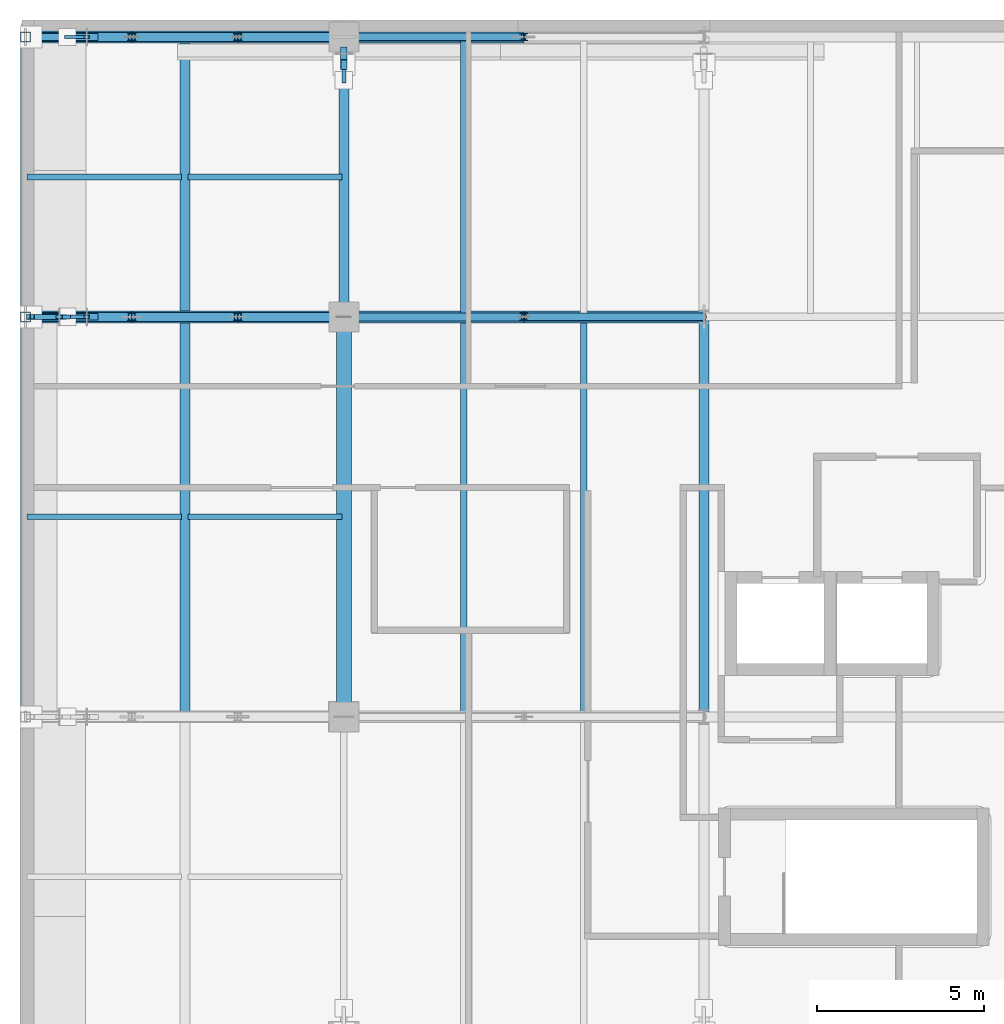
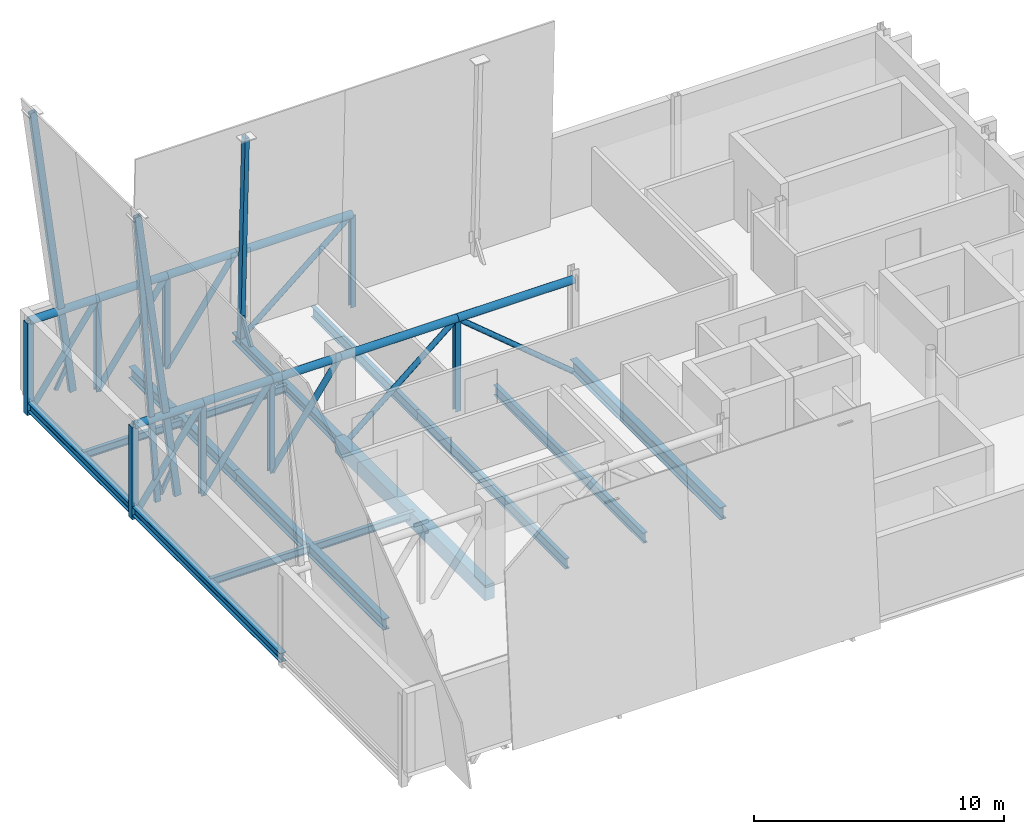
# One storey, part 3 of 10: 34 members, 14 beams.
"""IFC4 building model written with IfcOpenShell, lengths in metres."""

import ifcopenshell
import ifcopenshell.guid

model = None  # the IFC model being written
_history = None  # IfcOwnerHistory: only IFC2X3 demands one
_inside = {}  # id of a spatial element -> (the spatial element, [elements in it])
_under = {}  # id of a project, library or spatial element -> (it, [spatial elements below it])
_declared = {}  # id of a project -> (the project, [libraries it declares])
_typed = {}  # id of a type object -> (the type object, [elements of that type])
_made_of = {}  # id of a material, layer set ... -> (it, [elements and type objects made of it])


def new_model(schema):
    """Start an empty IFC model of exactly this schema.

    Asked for "IFC4X3", IfcOpenShell would pick the latest addendum, in which some entities
    have other attributes; the version numbers below select the first issue.
    IFC2X3 requires an IfcOwnerHistory on every rooted entity: one is made here for all.
    """
    global model, _history
    if schema == "IFC4X3":
        model = ifcopenshell.file(schema_version=(4, 3, 0, 0))
    else:
        model = ifcopenshell.file(schema=schema)
    _inside.clear()
    _under.clear()
    _declared.clear()
    _typed.clear()
    _made_of.clear()
    _history = None
    if model.schema == "IFC2X3":
        org = make("IfcOrganization", Name="unknown")
        user = make(
            "IfcPersonAndOrganization",
            ThePerson=make("IfcPerson", FamilyName="unknown"),
            TheOrganization=org,
        )
        app = make(
            "IfcApplication",
            ApplicationDeveloper=org,
            Version="unknown",
            ApplicationFullName="unknown",
            ApplicationIdentifier="unknown",
        )
        _history = make(
            "IfcOwnerHistory",
            OwningUser=user,
            OwningApplication=app,
            ChangeAction="ADDED",
            CreationDate=0,
        )
    return model


def make(cls, **values):
    """One entity of the class cls with the attributes given. An attribute that is None is left unset."""
    return model.create_entity(
        cls, **{name: value for name, value in values.items() if value is not None}
    )


def rooted(cls, **values):
    """An entity with a GlobalId (a new one), such as an element, a storey or a relation."""
    return make(cls, GlobalId=ifcopenshell.guid.new(), OwnerHistory=_history, **values)


def si_unit(unit_type, name, prefix=None):
    """IfcSIUnit, for example si_unit("LENGTHUNIT", "METRE", prefix="MILLI")."""
    return make("IfcSIUnit", UnitType=unit_type, Prefix=prefix, Name=name)


def assignment(units):
    """IfcUnitAssignment: the units of a project."""
    return None if units is None else make("IfcUnitAssignment", Units=units)


def point(xyz):
    """IfcCartesianPoint."""
    return None if xyz is None else make("IfcCartesianPoint", Coordinates=xyz)


def direction(xyz):
    """IfcDirection."""
    return None if xyz is None else make("IfcDirection", DirectionRatios=xyz)


def frame(location, z_axis=None, x_axis=None):
    """IfcAxis2Placement3D, a coordinate frame: its origin and axes. An axis left out is left unset."""
    return make(
        "IfcAxis2Placement3D",
        Location=point(location),
        Axis=direction(z_axis),
        RefDirection=direction(x_axis),
    )


def frame_2d(location, x_axis=None):
    """IfcAxis2Placement2D, a coordinate frame in the plane: its origin and x axis."""
    return make(
        "IfcAxis2Placement2D", Location=point(location), RefDirection=direction(x_axis)
    )


def origin():
    """The frame at (0, 0, 0) with its axes left unset."""
    return frame((0.0, 0.0, 0.0))


def origin_2d():
    """The frame at (0, 0) in the plane with its x axis left unset."""
    return frame_2d((0.0, 0.0))


def place(relative_to, where):
    """IfcLocalPlacement: puts the frame where relative to a parent placement (None: the world)."""
    return make(
        "IfcLocalPlacement", PlacementRelTo=relative_to, RelativePlacement=where
    )


def context(
    kind, dimensions, precision=None, world=None, true_north=None, identifier=None
):
    """IfcGeometricRepresentationContext, for example the 3D "Model" context."""
    return make(
        "IfcGeometricRepresentationContext",
        ContextIdentifier=identifier,
        ContextType=kind,
        CoordinateSpaceDimension=dimensions,
        Precision=precision,
        WorldCoordinateSystem=world,
        TrueNorth=true_north,
    )


def subcontext(parent, identifier, kind, view, scale=None):
    """IfcGeometricRepresentationSubContext, for example "Body" below "Model"."""
    return make(
        "IfcGeometricRepresentationSubContext",
        ContextIdentifier=identifier,
        ContextType=kind,
        ParentContext=parent,
        TargetScale=scale,
        TargetView=view,
    )


def project(units=None, contexts=None):
    """IfcProject with its units and contexts."""
    return rooted(
        "IfcProject",
        Name="project",
        RepresentationContexts=contexts,
        UnitsInContext=assignment(units),
    )


def spatial(cls, under=None, at=None, **own):
    """A site, building, storey or space (cls), placed at a placement, below another one or the project."""
    s = rooted(cls, ObjectPlacement=at, **own)
    if under is not None:
        _under.setdefault(under.id(), (under, []))[1].append(s)
    return s


def profile(cls, at=None, kind="AREA", **sizes):
    """A parametric profile (cls). Its sizes go by their IFC names, for example OverallWidth=200.0."""
    return make(cls, ProfileType=kind, Position=at, **sizes)


def rectangle(**sizes):
    """IfcRectangleProfileDef."""
    return profile("IfcRectangleProfileDef", **sizes)


def hollow_rectangle(**sizes):
    """IfcRectangleHollowProfileDef."""
    return profile("IfcRectangleHollowProfileDef", **sizes)


def hollow_circle(**sizes):
    """IfcCircleHollowProfileDef."""
    return profile("IfcCircleHollowProfileDef", **sizes)


def i_section(**sizes):
    """IfcIShapeProfileDef."""
    return profile("IfcIShapeProfileDef", **sizes)


def extrude(swept, where, along, depth):
    """IfcExtrudedAreaSolid: the profile swept, set in the frame where, extruded along a direction by depth."""
    return make(
        "IfcExtrudedAreaSolid",
        SweptArea=swept,
        Position=where,
        ExtrudedDirection=direction(along),
        Depth=depth,
    )


def shape(context_of_items, identifier, shape_type, items):
    """IfcShapeRepresentation: the items that make up one representation, for example the "Body"."""
    return make(
        "IfcShapeRepresentation",
        ContextOfItems=context_of_items,
        RepresentationIdentifier=identifier,
        RepresentationType=shape_type,
        Items=items,
    )


def material(Name=None, Category=None):
    """IfcMaterial."""
    return make("IfcMaterial", Name=Name, Category=Category)


def material_profile(
    of_material, cross_section, Name=None, Category=None, Priority=None
):
    """IfcMaterialProfile: a cross section and its material."""
    return make(
        "IfcMaterialProfile",
        Name=Name,
        Material=of_material,
        Profile=cross_section,
        Priority=Priority,
        Category=Category,
    )


def profile_set(profiles, Name=None, composite=None):
    """IfcMaterialProfileSet."""
    return make(
        "IfcMaterialProfileSet",
        Name=Name,
        MaterialProfiles=profiles,
        CompositeProfile=composite,
    )


def made_of(thing, what):
    """Note that an element or type object is made of a material, layer set ...; save() writes the relation."""
    if what is not None:
        _made_of.setdefault(what.id(), (what, []))[1].append(thing)
    return thing


def type_object(cls, material=None, **own):
    """A type object (cls), such as IfcWallType, which elements share."""
    return made_of(rooted(cls, **own), material)


def element(
    cls,
    number,
    at=None,
    inside=None,
    cuts=None,
    type_object=None,
    material=None,
    context=None,
    identifier="Body",
    shape_type=None,
    held_by="IfcProductDefinitionShape",
    body=None,
    shapes=None,
    **own,
):
    """One element of the class cls, such as IfcWall. Its Tag is "e" and its number.

    at: its placement. inside: the storey or other place that contains it. cuts: it is an
    opening in that element (IfcRelVoidsElement). A single representation is given by context,
    identifier, shape_type and body (its items); several are given by shapes. held_by: the class
    of the entity that holds the representations. save() writes the other relations.
    """
    e = rooted(cls, Tag="e%d" % number, ObjectPlacement=at, **own)
    if body is not None:
        shapes = [shape(context, identifier, shape_type, body)]
    if shapes is not None:
        e.Representation = make(held_by, Representations=shapes)
    if inside is not None:
        _inside.setdefault(inside.id(), (inside, []))[1].append(e)
    if cuts is not None:
        rooted(
            "IfcRelVoidsElement", RelatingBuildingElement=cuts, RelatedOpeningElement=e
        )
    if type_object is not None:
        _typed.setdefault(type_object.id(), (type_object, []))[1].append(e)
    return made_of(e, material)


def aggregate(whole, parts):
    """IfcRelAggregates: a whole, such as a stair, and the parts it consists of."""
    return rooted("IfcRelAggregates", RelatingObject=whole, RelatedObjects=parts)


def save(model, path):
    """Write the relations noted so far, then the file.

    IfcRelAggregates (storeys below a building ...), IfcRelContainedInSpatialStructure (elements
    in a storey), IfcRelDefinesByType, IfcRelAssociatesMaterial and IfcRelDeclares: one each for
    every whole, place, type object, material and project.
    """
    for whole, parts in _under.values():
        aggregate(whole, parts)
    for where, things in _inside.values():
        rooted(
            "IfcRelContainedInSpatialStructure",
            RelatedElements=things,
            RelatingStructure=where,
        )
    for kind, things in _typed.values():
        rooted("IfcRelDefinesByType", RelatedObjects=things, RelatingType=kind)
    for what, things in _made_of.values():
        rooted("IfcRelAssociatesMaterial", RelatedObjects=things, RelatingMaterial=what)
    for by, libraries in _declared.values():
        rooted("IfcRelDeclares", RelatingContext=by, RelatedDefinitions=libraries)
    model.write(path)


model = new_model("IFC4")

# Units and contexts
model_context = context("Model", 3, precision=1e-05, world=origin(), true_north=direction((0.0, 1.0)))
body_context = subcontext(model_context, "Body", "Model", "MODEL_VIEW")
ifc_project = project(units=[si_unit("LENGTHUNIT", "METRE"), si_unit("AREAUNIT", "SQUARE_METRE"), si_unit("VOLUMEUNIT", "CUBIC_METRE"), si_unit("PLANEANGLEUNIT", "RADIAN"), si_unit("MASSUNIT", "GRAM", prefix="KILO")], contexts=[model_context])

# Site, building, storey
site_placement = place(None, origin())
site = spatial("IfcSite", under=ifc_project, at=site_placement, CompositionType="ELEMENT")
building_placement = place(site_placement, origin())
building = spatial("IfcBuilding", under=site, at=building_placement, Name="Zereglee Splitstone Museum", CompositionType="ELEMENT")
storey_placement = place(building_placement, frame((0.0, 0.0, 25.5)))
storey = spatial("IfcBuildingStorey", under=building, at=storey_placement, Name="L05", CompositionType="ELEMENT", Elevation=25.5)

# Members
ifc_material_1 = material(Name="Steel S355J2H", Category="steel")
ifc_material_profile_1 = material_profile(ifc_material_1, hollow_circle(Radius=0.122314453125, WallThickness=0.012451171875, at=origin_2d()), Name="CHS 244.5x12.5")
ifc_profile_set_1 = profile_set([ifc_material_profile_1], Name="Steel S355J2H")
member_type_1 = type_object("IfcMemberType", Name="TB-02", PredefinedType="BRACE", material=ifc_profile_set_1)
for number, where, z_axis, x_axis, name in (
    (1, (9.60009765625, 21.60009765625, -0.89990234375), (0.768215585699, 0.0, 0.640191232281), (0.0, 1.0, 0.0), "Cantilever Truss CT-03 Web Brace L05-4"),
    (2, (20.39990234375, 21.60009765625, -0.89990234375), (-0.768215585699, 0.0, 0.640191232281), (0.0, -1.0, 0.0), "Cantilever Truss CT-03 Web Brace L05-5"),
    (3, (9.60009765625, 30.0, -0.89990234375), (0.768215585699, 0.0, 0.640191232281), (0.0, 1.0, 0.0), "Cantilever Truss CT-04 Web Brace L05-4"),
):
    element("IfcMember", number, at=place(storey_placement, frame(where, z_axis=z_axis, x_axis=x_axis)), inside=storey, type_object=member_type_1, Name=name, PredefinedType="BRACE", context=body_context, shape_type="SweptSolid", body=[
        extrude(hollow_circle(Radius=0.122314453125, WallThickness=0.012451171875, at=origin_2d()), origin(), (0.0, 0.0, 1.0), 7.029052734375),
    ])
ifc_material_profile_2 = material_profile(ifc_material_1, hollow_circle(Radius=0.136474609375, WallThickness=0.012451171875, at=origin_2d()), Name="CHS 273.0x12.5")
ifc_profile_set_2 = profile_set([ifc_material_profile_2], Name="Steel S355J2H")
member_type_2 = type_object("IfcMemberType", Name="TB-01", PredefinedType="BRACE", material=ifc_profile_set_2)
for number, where, z_axis, x_axis, name in (
    (4, (0.050048828125, 21.60009765625, -0.89990234375), (0.577515842543, 0.0, 0.816379477701), (0.0, 1.0, 0.0), "Cantilever Truss CT-03 Web Brace L05-1"),
    (5, (3.2333984375, 21.60009765625, -0.89990234375), (0.577515842543, 0.0, 0.816379477701), (0.0, 1.0, 0.0), "Cantilever Truss CT-03 Web Brace L05-2"),
    (6, (6.416748046875, 21.60009765625, -0.89990234375), (0.577515842543, 0.0, 0.816379477701), (0.0, 1.0, 0.0), "Cantilever Truss CT-03 Web Brace L05-3"),
    (7, (0.050048828125, 30.0, -0.89990234375), (0.577515842543, 0.0, 0.816379477701), (0.0, 1.0, 0.0), "Cantilever Truss CT-04 Web Brace L05-1"),
    (8, (3.2333984375, 30.0, -0.89990234375), (0.577515842543, 0.0, 0.816379477701), (0.0, 1.0, 0.0), "Cantilever Truss CT-04 Web Brace L05-2"),
    (9, (6.416748046875, 30.0, -0.89990234375), (0.577515842543, 0.0, 0.816379477701), (0.0, 1.0, 0.0), "Cantilever Truss CT-04 Web Brace L05-3"),
):
    element("IfcMember", number, at=place(storey_placement, frame(where, z_axis=z_axis, x_axis=x_axis)), inside=storey, type_object=member_type_2, Name=name, PredefinedType="BRACE", context=body_context, shape_type="SweptSolid", body=[
        extrude(hollow_circle(Radius=0.136474609375, WallThickness=0.012451171875, at=origin_2d()), origin(), (0.0, 0.0, 1.0), 5.51220703125),
    ])
ifc_material_profile_3 = material_profile(ifc_material_1, hollow_circle(Radius=0.177734375, WallThickness=0.01611328125, at=origin_2d()), Name="CHS 355.6x16")
ifc_profile_set_3 = profile_set([ifc_material_profile_3], Name="Steel S355J2H")
member_type_3 = type_object("IfcMemberType", Name="TC-04", PredefinedType="CHORD", material=ifc_profile_set_3)
for number, where, z_axis, x_axis, name in (
    (10, (0.050048828125, 21.60009765625, 3.60009765625), (1.0, 0.0, 0.0), (0.0, 1.0, 0.0), "Cantilever Truss CT-03 Top Chord L05-1"),
    (11, (3.2333984375, 21.60009765625, 3.60009765625), (1.0, 0.0, 0.0), (0.0, 1.0, 0.0), "Cantilever Truss CT-03 Top Chord L05-2"),
    (12, (6.416748046875, 21.60009765625, 3.60009765625), (1.0, 0.0, 0.0), (0.0, 1.0, 0.0), "Cantilever Truss CT-03 Top Chord L05-3"),
):
    element("IfcMember", number, at=place(storey_placement, frame(where, z_axis=z_axis, x_axis=x_axis)), inside=storey, type_object=member_type_3, Name=name, PredefinedType="CHORD", context=body_context, shape_type="SweptSolid", body=[
        extrude(hollow_circle(Radius=0.177734375, WallThickness=0.01611328125, at=origin_2d()), origin(), (0.0, 0.0, 1.0), 3.183349609375),
    ])
for number, where, z_axis, x_axis, name in (
    (13, (9.60009765625, 21.60009765625, 3.60009765625), (1.0, 0.0, 0.0), (0.0, 1.0, 0.0), "Cantilever Truss CT-03 Top Chord L05-4"),
    (14, (15.0, 21.60009765625, 3.60009765625), (1.0, 0.0, 0.0), (0.0, 1.0, 0.0), "Cantilever Truss CT-03 Top Chord L05-5"),
):
    element("IfcMember", number, at=place(storey_placement, frame(where, z_axis=z_axis, x_axis=x_axis)), inside=storey, type_object=member_type_3, Name=name, PredefinedType="CHORD", context=body_context, shape_type="SweptSolid", body=[
        extrude(hollow_circle(Radius=0.177734375, WallThickness=0.01611328125, at=origin_2d()), origin(), (0.0, 0.0, 1.0), 5.39990234375),
    ])
for number, where, z_axis, x_axis, name in (
    (15, (0.050048828125, 30.0, 3.60009765625), (1.0, 0.0, 0.0), (0.0, 1.0, 0.0), "Cantilever Truss CT-04 Top Chord L05-1"),
    (16, (3.2333984375, 30.0, 3.60009765625), (1.0, 0.0, 0.0), (0.0, 1.0, 0.0), "Cantilever Truss CT-04 Top Chord L05-2"),
    (17, (6.416748046875, 30.0, 3.60009765625), (1.0, 0.0, 0.0), (0.0, 1.0, 0.0), "Cantilever Truss CT-04 Top Chord L05-3"),
):
    element("IfcMember", number, at=place(storey_placement, frame(where, z_axis=z_axis, x_axis=x_axis)), inside=storey, type_object=member_type_3, Name=name, PredefinedType="CHORD", context=body_context, shape_type="SweptSolid", body=[
        extrude(hollow_circle(Radius=0.177734375, WallThickness=0.01611328125, at=origin_2d()), origin(), (0.0, 0.0, 1.0), 3.183349609375),
    ])
member_1_placement = place(storey_placement, frame((9.60009765625, 30.0, 3.60009765625), z_axis=(1.0, 0.0, 0.0), x_axis=(0.0, 1.0, 0.0)))
element("IfcMember", 18, at=member_1_placement, inside=storey, type_object=member_type_3, Name="Cantilever Truss CT-04 Top Chord L05-4", PredefinedType="CHORD", context=body_context, shape_type="SweptSolid", body=[
    extrude(hollow_circle(Radius=0.177734375, WallThickness=0.01611328125, at=origin_2d()), origin(), (0.0, 0.0, 1.0), 5.39990234375),
])

# Beams
ifc_material_2 = material(Name="Steel S355J2", Category="steel")
ifc_material_profile_4 = material_profile(ifc_material_2, i_section(OverallWidth=0.300048828125, OverallDepth=0.550048828125, WebThickness=0.014892578125, FlangeThickness=0.029052734375, FilletRadius=0.027099609375, at=origin_2d()), Name="HE 550 B")
ifc_profile_set_4 = profile_set([ifc_material_profile_4], Name="Steel S355J2")
beam_type_1 = type_object("IfcBeamType", Name="BG-11", PredefinedType="BEAM", material=ifc_profile_set_4)
beam_1_placement = place(storey_placement, frame((4.824951171875, 9.60009765625, -0.52490234375), z_axis=(0.0, 1.0, 0.0), x_axis=(-1.0, 0.0, 0.0)))
element("IfcBeam", 19, at=beam_1_placement, inside=storey, type_object=beam_type_1, Name="Cantilever Transverse Girder L05 X=4.83", PredefinedType="BEAM", context=body_context, shape_type="SweptSolid", body=[
    extrude(i_section(OverallWidth=0.300048828125, OverallDepth=0.550048828125, WebThickness=0.014892578125, FlangeThickness=0.029052734375, FilletRadius=0.027099609375, at=origin_2d()), origin(), (0.0, 0.0, 1.0), 12.0),
])
beam_2_placement = place(storey_placement, frame((4.824951171875, 21.60009765625, -0.52490234375), z_axis=(0.0, 1.0, 0.0), x_axis=(-1.0, 0.0, 0.0)))
element("IfcBeam", 20, at=beam_2_placement, inside=storey, type_object=beam_type_1, Name="Cantilever Transverse Girder L05 X=4.83", PredefinedType="BEAM", context=body_context, shape_type="SweptSolid", body=[
    extrude(i_section(OverallWidth=0.300048828125, OverallDepth=0.550048828125, WebThickness=0.014892578125, FlangeThickness=0.029052734375, FilletRadius=0.027099609375, at=origin_2d()), origin(), (0.0, 0.0, 1.0), 8.39990234375),
])
ifc_material_profile_5 = material_profile(ifc_material_2, i_section(OverallWidth=0.300048828125, OverallDepth=0.60009765625, WebThickness=0.015380859375, FlangeThickness=0.030029296875, FilletRadius=0.027099609375, at=origin_2d()), Name="HE 600 B")
ifc_profile_set_5 = profile_set([ifc_material_profile_5], Name="Steel S355J2")
beam_type_2 = type_object("IfcBeamType", Name="BG-10", PredefinedType="BEAM", material=ifc_profile_set_5)
beam_3_placement = place(storey_placement, frame((20.39990234375, 9.60009765625, -0.550048828125), z_axis=(0.0, 1.0, 0.0), x_axis=(-1.0, 0.0, 0.0)))
element("IfcBeam", 21, at=beam_3_placement, inside=storey, type_object=beam_type_2, Name="Primary Girder L05 4 (9.6-21.6)", PredefinedType="BEAM", context=body_context, shape_type="SweptSolid", body=[
    extrude(i_section(OverallWidth=0.300048828125, OverallDepth=0.60009765625, WebThickness=0.015380859375, FlangeThickness=0.030029296875, FilletRadius=0.027099609375, at=origin_2d()), origin(), (0.0, 0.0, 1.0), 12.0),
])
ifc_material_profile_6 = material_profile(ifc_material_2, i_section(OverallWidth=0.169921875, OverallDepth=0.360107421875, WebThickness=0.008056640625, FlangeThickness=0.0126953125, FilletRadius=0.01806640625, at=origin_2d()), Name="IPE 360")
ifc_profile_set_6 = profile_set([ifc_material_profile_6], Name="Steel S355J2")
beam_type_3 = type_object("IfcBeamType", Name="BJ-04", PredefinedType="JOIST", material=ifc_profile_set_6)
beam_4_placement = place(storey_placement, frame((0.090087890625, 15.60009765625, -0.429931640625), z_axis=(1.0, 0.0, 0.0), x_axis=(0.0, 1.0, 0.0)))
element("IfcBeam", 22, at=beam_4_placement, inside=storey, type_object=beam_type_3, Name="Cantilever Floor Joist L05-1650", PredefinedType="JOIST", context=body_context, shape_type="SweptSolid", body=[
    extrude(i_section(OverallWidth=0.169921875, OverallDepth=0.360107421875, WebThickness=0.008056640625, FlangeThickness=0.0126953125, FilletRadius=0.01806640625, at=origin_2d()), origin(), (0.0, 0.0, 1.0), 4.635009765625),
])
beam_5_placement = place(storey_placement, frame((4.925048828125, 15.60009765625, -0.429931640625), z_axis=(1.0, 0.0, 0.0), x_axis=(0.0, 1.0, 0.0)))
element("IfcBeam", 23, at=beam_5_placement, inside=storey, type_object=beam_type_3, Name="Cantilever Floor Joist L05-1651", PredefinedType="JOIST", context=body_context, shape_type="SweptSolid", body=[
    extrude(i_section(OverallWidth=0.169921875, OverallDepth=0.360107421875, WebThickness=0.008056640625, FlangeThickness=0.0126953125, FilletRadius=0.01806640625, at=origin_2d()), origin(), (0.0, 0.0, 1.0), 4.625),
])
beam_6_placement = place(storey_placement, frame((0.090087890625, 25.800048828125, -0.429931640625), z_axis=(1.0, 0.0, 0.0), x_axis=(0.0, 1.0, 0.0)))
element("IfcBeam", 24, at=beam_6_placement, inside=storey, type_object=beam_type_3, Name="Cantilever Floor Joist L05-1652", PredefinedType="JOIST", context=body_context, shape_type="SweptSolid", body=[
    extrude(i_section(OverallWidth=0.169921875, OverallDepth=0.360107421875, WebThickness=0.008056640625, FlangeThickness=0.0126953125, FilletRadius=0.01806640625, at=origin_2d()), origin(), (0.0, 0.0, 1.0), 4.635009765625),
])
beam_7_placement = place(storey_placement, frame((4.925048828125, 25.800048828125, -0.429931640625), z_axis=(1.0, 0.0, 0.0), x_axis=(0.0, 1.0, 0.0)))
element("IfcBeam", 25, at=beam_7_placement, inside=storey, type_object=beam_type_3, Name="Cantilever Floor Joist L05-1653", PredefinedType="JOIST", context=body_context, shape_type="SweptSolid", body=[
    extrude(i_section(OverallWidth=0.169921875, OverallDepth=0.360107421875, WebThickness=0.008056640625, FlangeThickness=0.0126953125, FilletRadius=0.01806640625, at=origin_2d()), origin(), (0.0, 0.0, 1.0), 4.625),
])
ifc_material_profile_7 = material_profile(ifc_material_2, i_section(OverallWidth=0.199951171875, OverallDepth=0.5, WebThickness=0.01025390625, FlangeThickness=0.01611328125, FilletRadius=0.02099609375, at=origin_2d()), Name="IPE 500")
ifc_profile_set_7 = profile_set([ifc_material_profile_7], Name="Steel S355J2")
beam_type_4 = type_object("IfcBeamType", Name="BJ-01", PredefinedType="JOIST", material=ifc_profile_set_7)
for number, where, z_axis, x_axis, name in (
    (26, (13.199951171875, 9.60009765625, -0.5), (0.0, 1.0, 0.0), (-1.0, 0.0, 0.0), "Secondary Floor Joist L05-1587"),
    (27, (16.800048828125, 9.60009765625, -0.5), (0.0, 1.0, 0.0), (-1.0, 0.0, 0.0), "Secondary Floor Joist L05-1588"),
):
    element("IfcBeam", number, at=place(storey_placement, frame(where, z_axis=z_axis, x_axis=x_axis)), inside=storey, type_object=beam_type_4, Name=name, PredefinedType="JOIST", context=body_context, shape_type="SweptSolid", body=[
        extrude(i_section(OverallWidth=0.199951171875, OverallDepth=0.5, WebThickness=0.01025390625, FlangeThickness=0.01611328125, FilletRadius=0.02099609375, at=origin_2d()), origin(), (0.0, 0.0, 1.0), 12.0),
    ])
beam_8_placement = place(storey_placement, frame((13.199951171875, 21.60009765625, -0.5), z_axis=(0.0, 1.0, 0.0), x_axis=(-1.0, 0.0, 0.0)))
element("IfcBeam", 28, at=beam_8_placement, inside=storey, type_object=beam_type_4, Name="Secondary Floor Joist L05-1590", PredefinedType="JOIST", context=body_context, shape_type="SweptSolid", body=[
    extrude(i_section(OverallWidth=0.199951171875, OverallDepth=0.5, WebThickness=0.01025390625, FlangeThickness=0.01611328125, FilletRadius=0.02099609375, at=origin_2d()), origin(), (0.0, 0.0, 1.0), 8.39990234375),
])

# Members
ifc_material_profile_8 = material_profile(ifc_material_2, i_section(OverallWidth=0.239990234375, OverallDepth=0.239990234375, WebThickness=0.010009765625, FlangeThickness=0.01708984375, FilletRadius=0.02099609375, at=origin_2d()), Name="HE 240 B")
ifc_profile_set_8 = profile_set([ifc_material_profile_8], Name="Steel S355J2")
member_type_4 = type_object("IfcMemberType", Name="TP-02", PredefinedType="POST", material=ifc_profile_set_8)
for number, where, z_axis, x_axis, name in (
    (29, (3.2333984375, 21.60009765625, -0.89990234375), (0.0, 0.0, 1.0), (1.0, 0.0, 0.0), "Cantilever Truss CT-03 Post L05-2"),
    (30, (6.416748046875, 21.60009765625, -0.89990234375), (0.0, 0.0, 1.0), (1.0, 0.0, 0.0), "Cantilever Truss CT-03 Post L05-3"),
    (31, (15.0, 21.60009765625, -0.89990234375), (0.0, 0.0, 1.0), (1.0, 0.0, 0.0), "Cantilever Truss CT-03 Post L05-4"),
    (32, (3.2333984375, 30.0, -0.89990234375), (0.0, 0.0, 1.0), (1.0, 0.0, 0.0), "Cantilever Truss CT-04 Post L05-2"),
    (33, (6.416748046875, 30.0, -0.89990234375), (0.0, 0.0, 1.0), (1.0, 0.0, 0.0), "Cantilever Truss CT-04 Post L05-3"),
    (34, (15.0, 30.0, -0.89990234375), (0.0, 0.0, 1.0), (1.0, 0.0, 0.0), "Cantilever Truss CT-04 Post L05-4"),
):
    element("IfcMember", number, at=place(storey_placement, frame(where, z_axis=z_axis, x_axis=x_axis)), inside=storey, type_object=member_type_4, Name=name, PredefinedType="POST", context=body_context, shape_type="SweptSolid", body=[
        extrude(i_section(OverallWidth=0.239990234375, OverallDepth=0.239990234375, WebThickness=0.010009765625, FlangeThickness=0.01708984375, FilletRadius=0.02099609375, at=origin_2d()), origin(), (0.0, 0.0, 1.0), 4.5),
    ])
ifc_material_profile_9 = material_profile(ifc_material_1, hollow_rectangle(XDim=0.300048828125, YDim=0.300048828125, WallThickness=0.01611328125, at=origin_2d()), Name="SHS 300x300x16")
ifc_profile_set_9 = profile_set([ifc_material_profile_9], Name="Steel S355J2H")
member_type_5 = type_object("IfcMemberType", Name="TP-01", PredefinedType="POST", material=ifc_profile_set_9)
for number, where, z_axis, x_axis, name in (
    (35, (0.050048828125, 21.60009765625, -0.89990234375), (0.0, 0.0, 1.0), (1.0, 0.0, 0.0), "Cantilever Truss CT-03 Post L05-1"),
    (36, (0.050048828125, 30.0, -0.89990234375), (0.0, 0.0, 1.0), (1.0, 0.0, 0.0), "Cantilever Truss CT-04 Post L05-1"),
):
    element("IfcMember", number, at=place(storey_placement, frame(where, z_axis=z_axis, x_axis=x_axis)), inside=storey, type_object=member_type_5, Name=name, PredefinedType="POST", context=body_context, shape_type="SweptSolid", body=[
        extrude(hollow_rectangle(XDim=0.300048828125, YDim=0.300048828125, WallThickness=0.01611328125, at=origin_2d()), origin(), (0.0, 0.0, 1.0), 4.5),
    ])

# Beams
ifc_material_profile_10 = material_profile(ifc_material_2, i_section(OverallWidth=0.300048828125, OverallDepth=0.449951171875, WebThickness=0.013916015625, FlangeThickness=0.02587890625, FilletRadius=0.027099609375, at=origin_2d()), Name="HE 450 B")
ifc_profile_set_10 = profile_set([ifc_material_profile_10], Name="Steel S355J2")
beam_type_5 = type_object("IfcBeamType", Name="SP-02", PredefinedType="SPANDREL", material=ifc_profile_set_10)
beam_9_placement = place(storey_placement, frame((9.60009765625, 21.60009765625, -0.47509765625), z_axis=(0.0, 1.0, 0.0), x_axis=(-1.0, 0.0, 0.0)))
element("IfcBeam", 37, at=beam_9_placement, inside=storey, type_object=beam_type_5, Name="Primary Girder L05 2 (21.6-30.0)", PredefinedType="SPANDREL", context=body_context, shape_type="SweptSolid", body=[
    extrude(i_section(OverallWidth=0.300048828125, OverallDepth=0.449951171875, WebThickness=0.013916015625, FlangeThickness=0.02587890625, FilletRadius=0.027099609375, at=origin_2d()), origin(), (0.0, 0.0, 1.0), 8.39990234375),
])
beam_10_placement = place(storey_placement, frame((0.050048828125, 9.60009765625, -0.47509765625), z_axis=(0.0, 1.0, 0.0), x_axis=(-1.0, 0.0, 0.0)))
element("IfcBeam", 38, at=beam_10_placement, inside=storey, type_object=beam_type_5, Name="Cantilever Transverse Girder L05 X=0.05", PredefinedType="SPANDREL", context=body_context, shape_type="SweptSolid", body=[
    extrude(i_section(OverallWidth=0.300048828125, OverallDepth=0.449951171875, WebThickness=0.013916015625, FlangeThickness=0.02587890625, FilletRadius=0.027099609375, at=origin_2d()), origin(), (0.0, 0.0, 1.0), 12.0),
])
beam_11_placement = place(storey_placement, frame((0.050048828125, 21.60009765625, -0.47509765625), z_axis=(0.0, 1.0, 0.0), x_axis=(-1.0, 0.0, 0.0)))
element("IfcBeam", 39, at=beam_11_placement, inside=storey, type_object=beam_type_5, Name="Cantilever Transverse Girder L05 X=0.05", PredefinedType="SPANDREL", context=body_context, shape_type="SweptSolid", body=[
    extrude(i_section(OverallWidth=0.300048828125, OverallDepth=0.449951171875, WebThickness=0.013916015625, FlangeThickness=0.02587890625, FilletRadius=0.027099609375, at=origin_2d()), origin(), (0.0, 0.0, 1.0), 8.39990234375),
])
ifc_material_3 = material(Name="Concrete C40/50", Category="concrete")
ifc_material_profile_11 = material_profile(ifc_material_3, rectangle(XDim=0.449951171875, YDim=0.75, at=origin_2d()), Name="RC 450x750")
ifc_profile_set_11 = profile_set([ifc_material_profile_11], Name="Concrete C40/50")
beam_type_6 = type_object("IfcBeamType", Name="SP-01", PredefinedType="SPANDREL", material=ifc_profile_set_11)
beam_12_placement = place(storey_placement, frame((9.60009765625, 9.60009765625, -0.625), z_axis=(0.0, 1.0, 0.0), x_axis=(-1.0, 0.0, 0.0)))
element("IfcBeam", 40, at=beam_12_placement, inside=storey, type_object=beam_type_6, Name="Primary Girder L05 2 (9.6-21.6)", PredefinedType="SPANDREL", context=body_context, shape_type="SweptSolid", body=[
    extrude(rectangle(XDim=0.449951171875, YDim=0.75, at=origin_2d()), origin(), (0.0, 0.0, 1.0), 12.0),
])

# Members
ifc_material_profile_12 = material_profile(ifc_material_1, hollow_rectangle(XDim=0.14990234375, YDim=0.25, WallThickness=0.010009765625, at=origin_2d()), Name="RHS 250x150x10")
ifc_profile_set_12 = profile_set([ifc_material_profile_12], Name="Steel S355J2H")
member_type_6 = type_object("IfcMemberType", Name="FS-R2", PredefinedType="STRUT", material=ifc_profile_set_12)
member_2_placement = place(storey_placement, frame((1.154296875, 21.60009765625, -0.5), z_axis=(-0.067700907333, 0.0, 0.997705661579), x_axis=(0.0, -1.0, 0.0)))
element("IfcMember", 41, at=member_2_placement, inside=storey, type_object=member_type_6, Name="Split-Rock Continuous Facet Strut FH-V1W-M L05-02", PredefinedType="STRUT", context=body_context, shape_type="SweptSolid", body=[
    extrude(hollow_rectangle(XDim=0.14990234375, YDim=0.25, WallThickness=0.010009765625, at=origin_2d()), origin(), (0.0, 0.0, 1.0), 14.31298828125),
])
ifc_material_profile_13 = material_profile(ifc_material_1, hollow_rectangle(XDim=0.199951171875, YDim=0.300048828125, WallThickness=0.012451171875, at=origin_2d()), Name="RHS 300x200x12.5")
ifc_profile_set_13 = profile_set([ifc_material_profile_13], Name="Steel S355J2H")
member_type_7 = type_object("IfcMemberType", Name="FS-R1", PredefinedType="STRUT", material=ifc_profile_set_13)
for number, where, z_axis, x_axis, name in (
    (42, (2.065673828125, 21.60009765625, -0.5), (-0.128367822249, 0.0, 0.991726626753), (0.0, -1.0, 0.0), "Split-Rock Continuous Facet Strut FH-V1W-N L05-01"),
    (43, (2.065673828125, 30.0, -0.5), (-0.128367822249, 0.0, 0.991726626753), (0.0, -1.0, 0.0), "Split-Rock Continuous Facet Strut FH-V1W-N L05-02"),
):
    element("IfcMember", number, at=place(storey_placement, frame(where, z_axis=z_axis, x_axis=x_axis)), inside=storey, type_object=member_type_7, Name=name, PredefinedType="STRUT", context=body_context, shape_type="SweptSolid", body=[
        extrude(hollow_rectangle(XDim=0.199951171875, YDim=0.300048828125, WallThickness=0.012451171875, at=origin_2d()), origin(), (0.0, 0.0, 1.0), 14.399169921875),
    ])
member_3_placement = place(storey_placement, frame((9.60009765625, 29.55126953125, -0.5), z_axis=(0.0, -0.037117872059, 0.999310894354), x_axis=(1.0, 0.0, 0.0)))
element("IfcMember", 44, at=member_3_placement, inside=storey, type_object=member_type_7, Name="Split-Rock Continuous Facet Strut FH-V1N-W L05-01", PredefinedType="STRUT", context=body_context, shape_type="SweptSolid", body=[
    extrude(hollow_rectangle(XDim=0.199951171875, YDim=0.300048828125, WallThickness=0.012451171875, at=origin_2d()), origin(), (0.0, 0.0, 1.0), 10.287109375),
])
ifc_material_profile_14 = material_profile(ifc_material_1, hollow_rectangle(XDim=0.10009765625, YDim=0.179931640625, WallThickness=0.008056640625, at=origin_2d()), Name="RHS 180x100x8")
ifc_profile_set_14 = profile_set([ifc_material_profile_14], Name="Steel S355J2H")
member_type_8 = type_object("IfcMemberType", Name="FS-T2", PredefinedType="STRUT", material=ifc_profile_set_14)
for number, where, z_axis, x_axis, name in (
    (45, (1.300048828125, 21.60009765625, -0.2099609375), (0.446082960648, 0.0, 0.894991615726), (0.0, 1.0, 0.0), "Facet Tie-Back Strut FH-V1W-N L05-01"),
    (46, (1.300048828125, 30.0, -0.2099609375), (0.446082960648, 0.0, 0.894991615726), (0.0, 1.0, 0.0), "Facet Tie-Back Strut FH-V1W-N L05-02"),
):
    element("IfcMember", number, at=place(storey_placement, frame(where, z_axis=z_axis, x_axis=x_axis)), inside=storey, type_object=member_type_8, Name=name, PredefinedType="STRUT", context=body_context, shape_type="SweptSolid", body=[
        extrude(hollow_rectangle(XDim=0.10009765625, YDim=0.179931640625, WallThickness=0.008056640625, at=origin_2d()), origin(), (0.0, 0.0, 1.0), 1.2958984375),
    ])
ifc_material_profile_15 = material_profile(ifc_material_1, hollow_rectangle(XDim=0.1201171875, YDim=0.199951171875, WallThickness=0.008056640625, at=origin_2d()), Name="RHS 200x120x8")
ifc_profile_set_15 = profile_set([ifc_material_profile_15], Name="Steel S355J2H")
member_type_9 = type_object("IfcMemberType", Name="FS-T1", PredefinedType="STRUT", material=ifc_profile_set_15)
member_4_placement = place(storey_placement, frame((1.300048828125, 21.60009765625, -0.2099609375), z_axis=(-0.20596895927, 0.0, 0.978558525494), x_axis=(0.0, -1.0, 0.0)))
element("IfcMember", 47, at=member_4_placement, inside=storey, type_object=member_type_9, Name="Facet Tie-Back Strut FH-V1W-M L05-02", PredefinedType="STRUT", context=body_context, shape_type="SweptSolid", body=[
    extrude(hollow_rectangle(XDim=0.1201171875, YDim=0.199951171875, WallThickness=0.008056640625, at=origin_2d()), origin(), (0.0, 0.0, 1.0), 1.185302734375),
])
member_5_placement = place(storey_placement, frame((9.60009765625, 28.699951171875, -0.2099609375), z_axis=(0.0, 0.566492015675, 0.824067227947), x_axis=(-1.0, 0.0, 0.0)))
element("IfcMember", 48, at=member_5_placement, inside=storey, type_object=member_type_9, Name="Facet Tie-Back Strut FH-V1N-W L05-01", PredefinedType="STRUT", context=body_context, shape_type="SweptSolid", body=[
    extrude(hollow_rectangle(XDim=0.1201171875, YDim=0.199951171875, WallThickness=0.008056640625, at=origin_2d()), origin(), (0.0, 0.0, 1.0), 1.407470703125),
])

save(model, "model.ifc")
